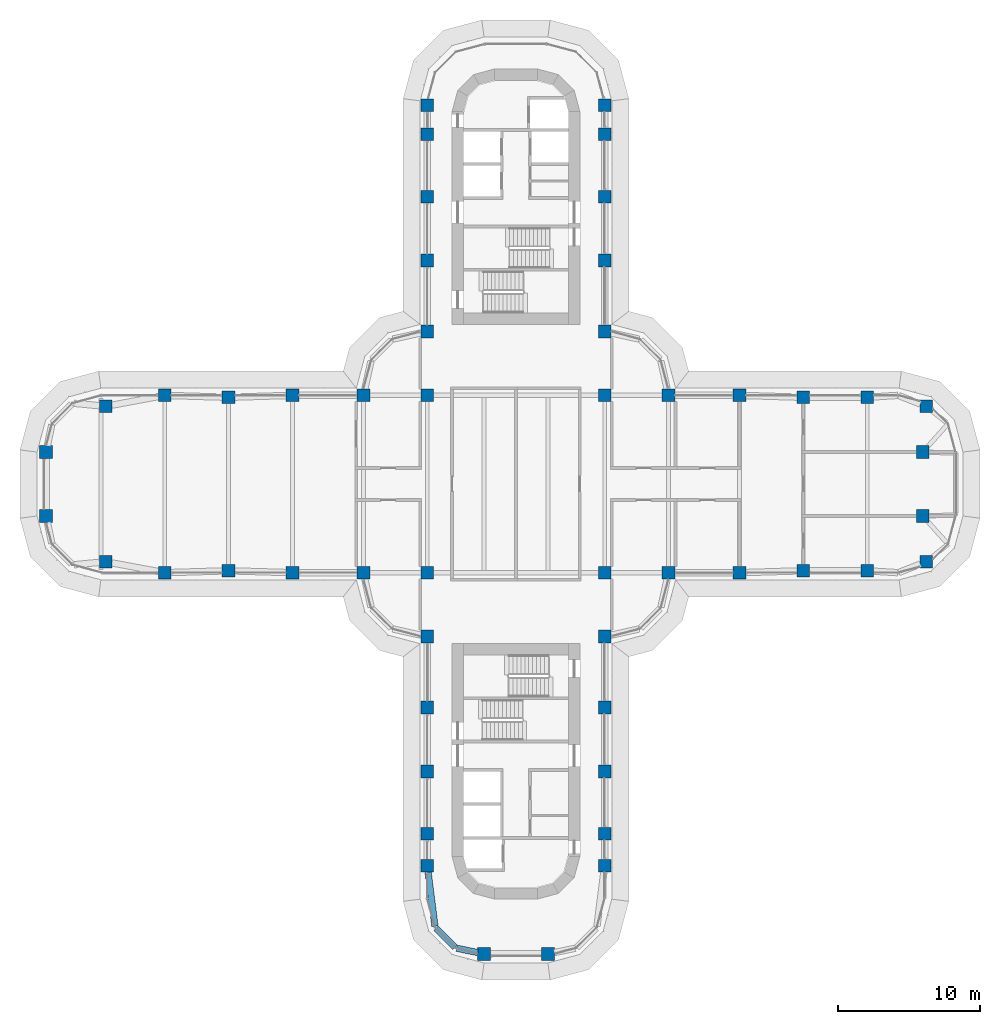
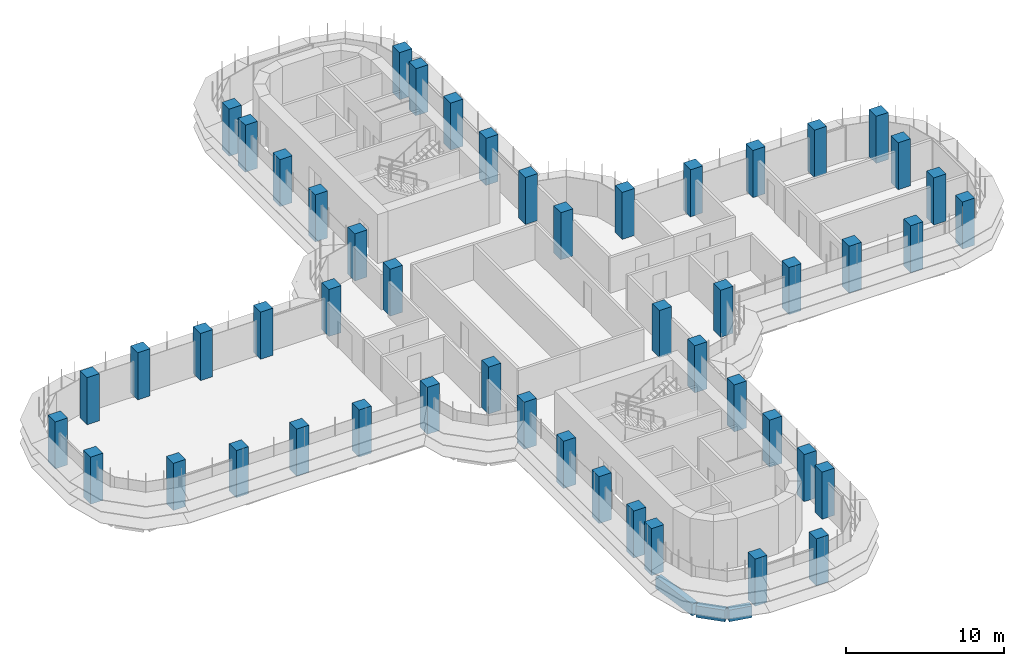
# One storey, part 1 of 21: 50 columns, 3 beams.
"""IFC4 building model written with IfcOpenShell, lengths in metres."""

from ifc_helpers import new_model, si_unit, direction, frame, origin, origin_2d, place, context, subcontext, project, spatial, rectangle, extrude, material, material_profile, profile_set, type_object, element, save


model = new_model("IFC4")

# Units and contexts
model_context = context("Model", 3, precision=1e-05, world=origin(), true_north=direction((0.0, 1.0)))
body_context = subcontext(model_context, "Body", "Model", "MODEL_VIEW")
ifc_project = project(units=[si_unit("LENGTHUNIT", "METRE"), si_unit("AREAUNIT", "SQUARE_METRE"), si_unit("VOLUMEUNIT", "CUBIC_METRE"), si_unit("PLANEANGLEUNIT", "RADIAN"), si_unit("MASSUNIT", "GRAM", prefix="KILO")], contexts=[model_context])

# Site, building, storey
site_placement = place(None, origin())
site = spatial("IfcSite", under=ifc_project, at=site_placement, CompositionType="ELEMENT")
building_placement = place(site_placement, origin())
building = spatial("IfcBuilding", under=site, at=building_placement, Name="Zarbagh Exchange Tower", CompositionType="ELEMENT")
storey_placement = place(building_placement, frame((0.0, 0.0, 128.39990234375)))
storey = spatial("IfcBuildingStorey", under=building, at=storey_placement, Name="L30", CompositionType="ELEMENT", Elevation=128.39990234375)

# Columns
ifc_material = material(Name="Concrete C60/75", Category="concrete")
ifc_material_profile_1 = material_profile(ifc_material, rectangle(XDim=0.89990234375, YDim=0.89990234375, at=origin_2d()), Name="RC column 900 x 900 C60/75")
ifc_profile_set_1 = profile_set([ifc_material_profile_1], Name="Concrete C60/75")
column_type = type_object("IfcColumnType", Name="RC column 900 x 900 C60/75", PredefinedType="COLUMN", material=ifc_profile_set_1)
for number, where, z_axis, x_axis, name in (
    (1, (-33.110107421875, -2.25, 0.0), (0.0, 0.0, 1.0), (1.0, 0.0, 0.0), "C3 10/S"),
    (2, (-33.110107421875, 2.25, 0.0), (0.0, 0.0, 1.0), (1.0, 0.0, 0.0), "C3 10/T"),
    (3, (-28.907958984375, -5.47509765625, 0.0), (0.0, 0.0, 1.0), (1.0, 0.0, 0.0), "C3 11/R"),
    (4, (-28.907958984375, 5.47509765625, 0.0), (0.0, 0.0, 1.0), (1.0, 0.0, 0.0), "C3 11/U"),
    (5, (-24.75, -6.25, 0.0), (0.0, 0.0, 1.0), (1.0, 0.0, 0.0), "C3 12/R"),
    (6, (-24.75, 6.25, 0.0), (0.0, 0.0, 1.0), (1.0, 0.0, 0.0), "C3 12/U"),
    (7, (-20.25, -6.110107421875, 0.0), (0.0, 0.0, 1.0), (1.0, 0.0, 0.0), "C3 13/R"),
    (8, (-20.25, 6.110107421875, 0.0), (0.0, 0.0, 1.0), (1.0, 0.0, 0.0), "C3 13/U"),
    (9, (-15.75, -6.25, 0.0), (0.0, 0.0, 1.0), (1.0, 0.0, 0.0), "C3 14/R"),
    (10, (-15.75, 6.25, 0.0), (0.0, 0.0, 1.0), (1.0, 0.0, 0.0), "C3 14/U"),
    (11, (-10.75, -6.25, 0.0), (0.0, 0.0, 1.0), (1.0, 0.0, 0.0), "C3 15/R"),
    (12, (-10.75, 6.25, 0.0), (0.0, 0.0, 1.0), (1.0, 0.0, 0.0), "C3 15/U"),
    (13, (-6.25, -26.89990234375, 0.0), (0.0, 0.0, 1.0), (1.0, 0.0, 0.0), "C3 16/L"),
    (14, (-6.25, -24.64990234375, 0.0), (0.0, 0.0, 1.0), (1.0, 0.0, 0.0), "C3 16/M"),
    (15, (-6.25, -20.25, 0.0), (0.0, 0.0, 1.0), (1.0, 0.0, 0.0), "C3 16/N"),
    (16, (-6.25, -15.75, 0.0), (0.0, 0.0, 1.0), (1.0, 0.0, 0.0), "C3 16/P"),
    (17, (-6.25, -10.75, 0.0), (0.0, 0.0, 1.0), (1.0, 0.0, 0.0), "C3 16/Q"),
    (18, (-6.25, -6.25, 0.0), (0.0, 0.0, 1.0), (1.0, 0.0, 0.0), "C3 16/R"),
    (19, (-6.25, 6.25, 0.0), (0.0, 0.0, 1.0), (1.0, 0.0, 0.0), "C3 16/U"),
    (20, (-6.25, 10.75, 0.0), (0.0, 0.0, 1.0), (1.0, 0.0, 0.0), "C3 16/V"),
    (21, (-6.25, 15.75, 0.0), (0.0, 0.0, 1.0), (1.0, 0.0, 0.0), "C3 16/W"),
    (22, (-6.25, 20.25, 0.0), (0.0, 0.0, 1.0), (1.0, 0.0, 0.0), "C3 16/X"),
    (23, (-6.25, 24.64990234375, 0.0), (0.0, 0.0, 1.0), (1.0, 0.0, 0.0), "C3 16/Y"),
    (24, (-6.25, 26.699951171875, 0.0), (0.0, 0.0, 1.0), (1.0, 0.0, 0.0), "C3 16/Z"),
    (25, (-2.25, -33.110107421875, 0.0), (0.0, 0.0, 1.0), (1.0, 0.0, 0.0), "C3 17/K"),
    (26, (2.25, -33.110107421875, 0.0), (0.0, 0.0, 1.0), (1.0, 0.0, 0.0), "C3 18/K"),
    (27, (6.25, -26.89990234375, 0.0), (0.0, 0.0, 1.0), (1.0, 0.0, 0.0), "C3 19/L"),
    (28, (6.25, -24.64990234375, 0.0), (0.0, 0.0, 1.0), (1.0, 0.0, 0.0), "C3 19/M"),
    (29, (6.25, -20.25, 0.0), (0.0, 0.0, 1.0), (1.0, 0.0, 0.0), "C3 19/N"),
    (30, (6.25, -15.75, 0.0), (0.0, 0.0, 1.0), (1.0, 0.0, 0.0), "C3 19/P"),
    (31, (6.25, -10.75, 0.0), (0.0, 0.0, 1.0), (1.0, 0.0, 0.0), "C3 19/Q"),
    (32, (6.25, -6.25, 0.0), (0.0, 0.0, 1.0), (1.0, 0.0, 0.0), "C3 19/R"),
    (33, (6.25, 6.25, 0.0), (0.0, 0.0, 1.0), (1.0, 0.0, 0.0), "C3 19/U"),
    (34, (6.25, 10.75, 0.0), (0.0, 0.0, 1.0), (1.0, 0.0, 0.0), "C3 19/V"),
    (35, (6.25, 15.75, 0.0), (0.0, 0.0, 1.0), (1.0, 0.0, 0.0), "C3 19/W"),
    (36, (6.25, 20.25, 0.0), (0.0, 0.0, 1.0), (1.0, 0.0, 0.0), "C3 19/X"),
    (37, (6.25, 24.64990234375, 0.0), (0.0, 0.0, 1.0), (1.0, 0.0, 0.0), "C3 19/Y"),
    (38, (6.25, 26.699951171875, 0.0), (0.0, 0.0, 1.0), (1.0, 0.0, 0.0), "C3 19/Z"),
    (39, (10.75, -6.25, 0.0), (0.0, 0.0, 1.0), (1.0, 0.0, 0.0), "C3 20/R"),
    (40, (10.75, 6.25, 0.0), (0.0, 0.0, 1.0), (1.0, 0.0, 0.0), "C3 20/U"),
    (41, (15.75, -6.25, 0.0), (0.0, 0.0, 1.0), (1.0, 0.0, 0.0), "C3 21/R"),
    (42, (15.75, 6.25, 0.0), (0.0, 0.0, 1.0), (1.0, 0.0, 0.0), "C3 21/U"),
    (43, (20.25, -6.110107421875, 0.0), (0.0, 0.0, 1.0), (1.0, 0.0, 0.0), "C3 22/R"),
    (44, (20.25, 6.110107421875, 0.0), (0.0, 0.0, 1.0), (1.0, 0.0, 0.0), "C3 22/U"),
    (45, (24.75, -6.110107421875, 0.0), (0.0, 0.0, 1.0), (1.0, 0.0, 0.0), "C3 23/R"),
    (46, (24.75, 6.110107421875, 0.0), (0.0, 0.0, 1.0), (1.0, 0.0, 0.0), "C3 23/U"),
    (47, (28.907958984375, -5.47509765625, 0.0), (0.0, 0.0, 1.0), (1.0, 0.0, 0.0), "C3 24/R"),
    (48, (28.669921875, -2.25, 0.0), (0.0, 0.0, 1.0), (1.0, 0.0, 0.0), "C3 24/S"),
    (49, (28.669921875, 2.25, 0.0), (0.0, 0.0, 1.0), (1.0, 0.0, 0.0), "C3 24/T"),
    (50, (28.907958984375, 5.47509765625, 0.0), (0.0, 0.0, 1.0), (1.0, 0.0, 0.0), "C3 24/U"),
):
    element("IfcColumn", number, at=place(storey_placement, frame(where, z_axis=z_axis, x_axis=x_axis)), inside=storey, type_object=column_type, Name=name, PredefinedType="COLUMN", context=body_context, shape_type="SweptSolid", body=[
        extrude(rectangle(XDim=0.89990234375, YDim=0.89990234375, at=origin_2d()), origin(), (0.0, 0.0, 1.0), 3.650146484375),
    ])

# Beams
ifc_material_profile_2 = material_profile(ifc_material, rectangle(XDim=0.449951171875, YDim=0.89990234375, at=origin_2d()), Name="RC spandrel beam 450 x 900 C60/75")
ifc_profile_set_2 = profile_set([ifc_material_profile_2], Name="Concrete C60/75")
beam_type = type_object("IfcBeamType", Name="RC spandrel beam 450 x 900 C60/75", PredefinedType="SPANDREL", material=ifc_profile_set_2)
beam_1_placement = place(storey_placement, frame((-2.690673828125, -33.01904296875, -0.599853515625), z_axis=(-0.979328675816, 0.202275417995, 0.0), x_axis=(-0.202275417995, -0.979328675816, 0.0)))
element("IfcBeam", 51, at=beam_1_placement, inside=storey, type_object=beam_type, Name="RC spandrel beam", PredefinedType="SPANDREL", context=body_context, shape_type="SweptSolid", body=[
    extrude(rectangle(XDim=0.449951171875, YDim=0.89990234375, at=origin_2d()), origin(), (0.0, 0.0, 1.0), 1.515869140625),
])
beam_2_placement = place(storey_placement, frame((-4.288818359375, -32.651123046875, -0.599853515625), z_axis=(-0.707106781187, 0.707106781187, 0.0), x_axis=(-0.707106781187, -0.707106781187, 0.0)))
element("IfcBeam", 52, at=beam_2_placement, inside=storey, type_object=beam_type, Name="RC spandrel beam", PredefinedType="SPANDREL", context=body_context, shape_type="SweptSolid", body=[
    extrude(rectangle(XDim=0.449951171875, YDim=0.89990234375, at=origin_2d()), origin(), (0.0, 0.0, 1.0), 1.9169921875),
])
beam_3_placement = place(storey_placement, frame((-5.70849609375, -31.164794921875, -0.599853515625), z_axis=(-0.12597055537, 0.992033980859, 0.0), x_axis=(-0.992033980859, -0.12597055537, 0.0)))
element("IfcBeam", 53, at=beam_3_placement, inside=storey, type_object=beam_type, Name="RC spandrel beam", PredefinedType="SPANDREL", context=body_context, shape_type="SweptSolid", body=[
    extrude(rectangle(XDim=0.449951171875, YDim=0.89990234375, at=origin_2d()), origin(), (0.0, 0.0, 1.0), 3.84912109375),
])

save(model, "model.ifc")
